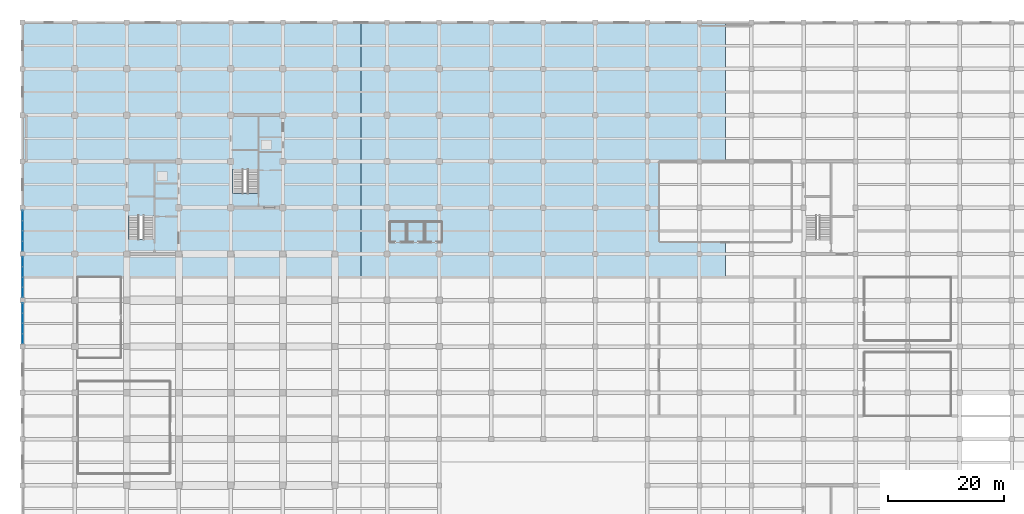
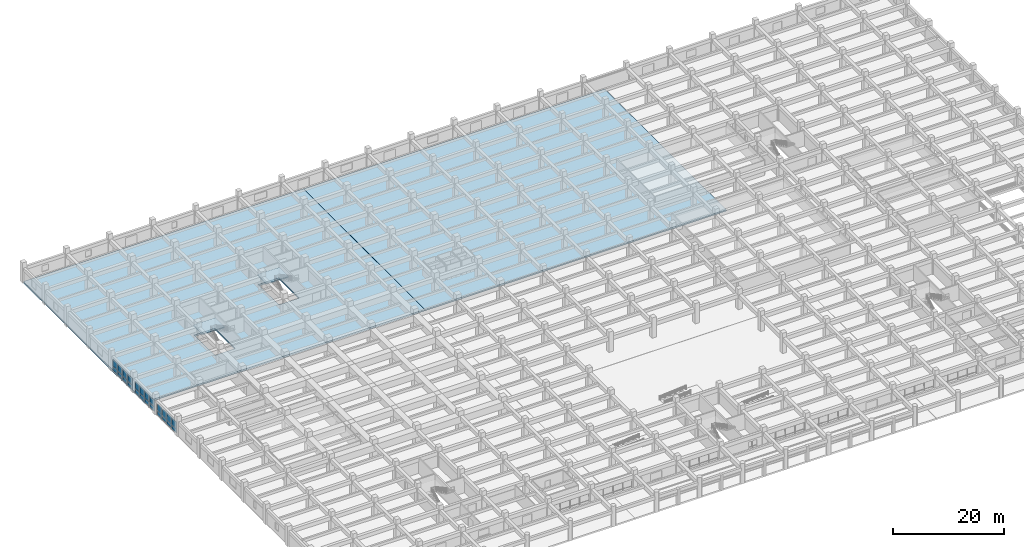
# One storey, part 19 of 40: 24 plates, 4 slabs, 5 elements without a shape of their own.
"""IFC4 building model written with IfcOpenShell, lengths in metres."""

from ifc_helpers import new_model, si_unit, direction, frame, frame_2d, origin, place, context, subcontext, project, spatial, polyline, rectangle, outline, extrude, material, layer, layer_set, type_object, element, aggregate, save


model = new_model("IFC4")

# Units and contexts
model_context = context("Model", 3, precision=1e-05, world=origin(), true_north=direction((0.0, 1.0)))
body_context = subcontext(model_context, "Body", "Model", "MODEL_VIEW")
ifc_project = project(units=[si_unit("LENGTHUNIT", "METRE"), si_unit("AREAUNIT", "SQUARE_METRE"), si_unit("VOLUMEUNIT", "CUBIC_METRE"), si_unit("PLANEANGLEUNIT", "RADIAN"), si_unit("MASSUNIT", "GRAM", prefix="KILO")], contexts=[model_context])

# Site, building, storey
site_placement = place(None, origin())
site = spatial("IfcSite", under=ifc_project, at=site_placement, CompositionType="ELEMENT")
building_placement = place(site_placement, origin())
building = spatial("IfcBuilding", under=site, at=building_placement, Name="Zaverband Oceanarium and Marine Research Institute", CompositionType="ELEMENT")
storey_placement = place(building_placement, origin())
storey = spatial("IfcBuildingStorey", under=building, at=storey_placement, Name="L00", CompositionType="ELEMENT", Elevation=0.0)

# Curtain wall, plates
ifc_material_1 = material(Name="Thermally broken anodized aluminium and solar-control glass", Category="aluminium")
curtain_wall_type = type_object("IfcCurtainWallType", Name="CW-UNIT-1800", PredefinedType="NOTDEFINED", material=ifc_material_1)
curtain_wall_1_placement = place(storey_placement, origin())
curtain_wall_1 = element("IfcCurtainWall", 1, at=curtain_wall_1_placement, inside=storey, type_object=curtain_wall_type, Name="Unitised glazed curtain wall CW-009", PredefinedType="NOTDEFINED")
ifc_material_2 = material(Name="Low-E double-glazed solar-control glass", Category="glass")
ifc_layer_1 = layer(ifc_material_2, 0.033935546875, Name="Low-E double-glazed solar-control glass")
ifc_layer_set_1 = layer_set([ifc_layer_1], Name="Low-E double-glazed solar-control glass")
plate_type_1 = type_object("IfcPlateType", Name="CWP-1515x903", PredefinedType="CURTAIN_PANEL", material=ifc_layer_set_1)
plate_1_placement = place(storey_placement, frame((0.0, 64.534912109375, 0.050048828125), z_axis=(0.0, 0.0, 1.0), x_axis=(0.0, 1.0, 0.0)))
plate_1 = element("IfcPlate", 2, at=plate_1_placement, type_object=plate_type_1, Name="Glazed curtain wall panel CWP-1515x903", PredefinedType="CURTAIN_PANEL", context=body_context, shape_type="SweptSolid", body=[
    extrude(rectangle(XDim=1.612548828125, YDim=0.033935546875, at=frame_2d((0.80615234375, 0.0))), origin(), (0.0, 0.0, 1.0), 0.90283203125),
])
plate_2_placement = place(storey_placement, frame((0.0, 66.3076171875, 0.050048828125), z_axis=(0.0, 0.0, 1.0), x_axis=(0.0, 1.0, 0.0)))
plate_2 = element("IfcPlate", 3, at=plate_2_placement, type_object=plate_type_1, Name="Glazed curtain wall panel CWP-1515x903", PredefinedType="CURTAIN_PANEL", context=body_context, shape_type="SweptSolid", body=[
    extrude(rectangle(XDim=1.6123046875, YDim=0.033935546875, at=frame_2d((0.80615234375, 0.0))), origin(), (0.0, 0.0, 1.0), 0.90283203125),
])
plate_3_placement = place(storey_placement, frame((0.0, 68.080078125, 0.050048828125), z_axis=(0.0, 0.0, 1.0), x_axis=(0.0, 1.0, 0.0)))
plate_3 = element("IfcPlate", 4, at=plate_3_placement, type_object=plate_type_1, Name="Glazed curtain wall panel CWP-1515x903", PredefinedType="CURTAIN_PANEL", context=body_context, shape_type="SweptSolid", body=[
    extrude(rectangle(XDim=1.6123046875, YDim=0.033935546875, at=frame_2d((0.80615234375, 0.0))), origin(), (0.0, 0.0, 1.0), 0.90283203125),
])
plate_4_placement = place(storey_placement, frame((0.0, 69.8525390625, 0.050048828125), z_axis=(0.0, 0.0, 1.0), x_axis=(0.0, 1.0, 0.0)))
plate_4 = element("IfcPlate", 5, at=plate_4_placement, type_object=plate_type_1, Name="Glazed curtain wall panel CWP-1515x903", PredefinedType="CURTAIN_PANEL", context=body_context, shape_type="SweptSolid", body=[
    extrude(rectangle(XDim=1.612548828125, YDim=0.033935546875, at=frame_2d((0.80615234375, 0.0))), origin(), (0.0, 0.0, 1.0), 0.90283203125),
])

curtain_wall_2_placement = place(storey_placement, origin())
curtain_wall_2 = element("IfcCurtainWall", 6, at=curtain_wall_2_placement, inside=storey, type_object=curtain_wall_type, Name="Unitised glazed curtain wall CW-010", PredefinedType="NOTDEFINED")
plate_5_placement = place(storey_placement, frame((0.0, 72.534912109375, 0.050048828125), z_axis=(0.0, 0.0, 1.0), x_axis=(0.0, 1.0, 0.0)))
plate_5 = element("IfcPlate", 7, at=plate_5_placement, type_object=plate_type_1, Name="Glazed curtain wall panel CWP-1515x903", PredefinedType="CURTAIN_PANEL", context=body_context, shape_type="SweptSolid", body=[
    extrude(rectangle(XDim=1.612548828125, YDim=0.033935546875, at=frame_2d((0.80615234375, 0.0))), origin(), (0.0, 0.0, 1.0), 0.90283203125),
])
plate_6_placement = place(storey_placement, frame((0.0, 74.3076171875, 0.050048828125), z_axis=(0.0, 0.0, 1.0), x_axis=(0.0, 1.0, 0.0)))
plate_6 = element("IfcPlate", 8, at=plate_6_placement, type_object=plate_type_1, Name="Glazed curtain wall panel CWP-1515x903", PredefinedType="CURTAIN_PANEL", context=body_context, shape_type="SweptSolid", body=[
    extrude(rectangle(XDim=1.6123046875, YDim=0.033935546875, at=frame_2d((0.80615234375, 0.0))), origin(), (0.0, 0.0, 1.0), 0.90283203125),
])
plate_7_placement = place(storey_placement, frame((0.0, 76.080078125, 0.050048828125), z_axis=(0.0, 0.0, 1.0), x_axis=(0.0, 1.0, 0.0)))
plate_7 = element("IfcPlate", 9, at=plate_7_placement, type_object=plate_type_1, Name="Glazed curtain wall panel CWP-1515x903", PredefinedType="CURTAIN_PANEL", context=body_context, shape_type="SweptSolid", body=[
    extrude(rectangle(XDim=1.6123046875, YDim=0.033935546875, at=frame_2d((0.80615234375, 0.0))), origin(), (0.0, 0.0, 1.0), 0.90283203125),
])
plate_8_placement = place(storey_placement, frame((0.0, 77.8525390625, 0.050048828125), z_axis=(0.0, 0.0, 1.0), x_axis=(0.0, 1.0, 0.0)))
plate_8 = element("IfcPlate", 10, at=plate_8_placement, type_object=plate_type_1, Name="Glazed curtain wall panel CWP-1515x903", PredefinedType="CURTAIN_PANEL", context=body_context, shape_type="SweptSolid", body=[
    extrude(rectangle(XDim=1.612548828125, YDim=0.033935546875, at=frame_2d((0.80615234375, 0.0))), origin(), (0.0, 0.0, 1.0), 0.90283203125),
])

curtain_wall_3_placement = place(storey_placement, origin())
curtain_wall_3 = element("IfcCurtainWall", 11, at=curtain_wall_3_placement, inside=storey, type_object=curtain_wall_type, Name="Unitised glazed curtain wall CW-011", PredefinedType="NOTDEFINED")
plate_9_placement = place(storey_placement, frame((0.0, 80.534912109375, 0.050048828125), z_axis=(0.0, 0.0, 1.0), x_axis=(0.0, 1.0, 0.0)))
plate_9 = element("IfcPlate", 12, at=plate_9_placement, type_object=plate_type_1, Name="Glazed curtain wall panel CWP-1515x903", PredefinedType="CURTAIN_PANEL", context=body_context, shape_type="SweptSolid", body=[
    extrude(rectangle(XDim=1.612548828125, YDim=0.033935546875, at=frame_2d((0.80615234375, 0.0))), origin(), (0.0, 0.0, 1.0), 0.90283203125),
])
plate_10_placement = place(storey_placement, frame((0.0, 82.3076171875, 0.050048828125), z_axis=(0.0, 0.0, 1.0), x_axis=(0.0, 1.0, 0.0)))
plate_10 = element("IfcPlate", 13, at=plate_10_placement, type_object=plate_type_1, Name="Glazed curtain wall panel CWP-1515x903", PredefinedType="CURTAIN_PANEL", context=body_context, shape_type="SweptSolid", body=[
    extrude(rectangle(XDim=1.6123046875, YDim=0.033935546875, at=frame_2d((0.80615234375, 0.0))), origin(), (0.0, 0.0, 1.0), 0.90283203125),
])
plate_11_placement = place(storey_placement, frame((0.0, 84.080078125, 0.050048828125), z_axis=(0.0, 0.0, 1.0), x_axis=(0.0, 1.0, 0.0)))
plate_11 = element("IfcPlate", 14, at=plate_11_placement, type_object=plate_type_1, Name="Glazed curtain wall panel CWP-1515x903", PredefinedType="CURTAIN_PANEL", context=body_context, shape_type="SweptSolid", body=[
    extrude(rectangle(XDim=1.6123046875, YDim=0.033935546875, at=frame_2d((0.80615234375, 0.0))), origin(), (0.0, 0.0, 1.0), 0.90283203125),
])
plate_12_placement = place(storey_placement, frame((0.0, 85.8525390625, 0.050048828125), z_axis=(0.0, 0.0, 1.0), x_axis=(0.0, 1.0, 0.0)))
plate_12 = element("IfcPlate", 15, at=plate_12_placement, type_object=plate_type_1, Name="Glazed curtain wall panel CWP-1515x903", PredefinedType="CURTAIN_PANEL", context=body_context, shape_type="SweptSolid", body=[
    extrude(rectangle(XDim=1.612548828125, YDim=0.033935546875, at=frame_2d((0.80615234375, 0.0))), origin(), (0.0, 0.0, 1.0), 0.90283203125),
])

# Plate
ifc_layer_2 = layer(ifc_material_2, 0.033935546875, Name="Low-E double-glazed solar-control glass")
ifc_layer_set_2 = layer_set([ifc_layer_2], Name="Low-E double-glazed solar-control glass")
plate_type_2 = type_object("IfcPlateType", Name="CWP-1610x1505", PredefinedType="CURTAIN_PANEL", material=ifc_layer_set_2)
plate_13_placement = place(storey_placement, frame((0.0, 64.534912109375, 1.02294921875), z_axis=(0.0, 0.0, 1.0), x_axis=(0.0, 1.0, 0.0)))
plate_13 = element("IfcPlate", 16, at=plate_13_placement, type_object=plate_type_2, Name="Glazed curtain wall panel CWP-1610x1505", PredefinedType="CURTAIN_PANEL", context=body_context, shape_type="SweptSolid", body=[
    extrude(rectangle(XDim=1.612548828125, YDim=0.033935546875, at=frame_2d((0.80615234375, 0.0))), origin(), (0.0, 0.0, 1.0), 1.51708984375),
])

plate_14_placement = place(storey_placement, frame((0.0, 66.3076171875, 1.02294921875), z_axis=(0.0, 0.0, 1.0), x_axis=(0.0, 1.0, 0.0)))
plate_14 = element("IfcPlate", 17, at=plate_14_placement, type_object=plate_type_2, Name="Glazed curtain wall panel CWP-1610x1505", PredefinedType="CURTAIN_PANEL", context=body_context, shape_type="SweptSolid", body=[
    extrude(rectangle(XDim=1.6123046875, YDim=0.033935546875, at=frame_2d((0.80615234375, 0.0))), origin(), (0.0, 0.0, 1.0), 1.51708984375),
])

plate_15_placement = place(storey_placement, frame((0.0, 68.080078125, 1.02294921875), z_axis=(0.0, 0.0, 1.0), x_axis=(0.0, 1.0, 0.0)))
plate_15 = element("IfcPlate", 18, at=plate_15_placement, type_object=plate_type_2, Name="Glazed curtain wall panel CWP-1610x1505", PredefinedType="CURTAIN_PANEL", context=body_context, shape_type="SweptSolid", body=[
    extrude(rectangle(XDim=1.6123046875, YDim=0.033935546875, at=frame_2d((0.80615234375, 0.0))), origin(), (0.0, 0.0, 1.0), 1.51708984375),
])

plate_16_placement = place(storey_placement, frame((0.0, 69.8525390625, 1.02294921875), z_axis=(0.0, 0.0, 1.0), x_axis=(0.0, 1.0, 0.0)))
plate_16 = element("IfcPlate", 19, at=plate_16_placement, type_object=plate_type_2, Name="Glazed curtain wall panel CWP-1610x1505", PredefinedType="CURTAIN_PANEL", context=body_context, shape_type="SweptSolid", body=[
    extrude(rectangle(XDim=1.612548828125, YDim=0.033935546875, at=frame_2d((0.80615234375, 0.0))), origin(), (0.0, 0.0, 1.0), 1.51708984375),
])

aggregate(curtain_wall_1, [plate_1, plate_13, plate_2, plate_14, plate_3, plate_15, plate_4, plate_16])

plate_17_placement = place(storey_placement, frame((0.0, 72.534912109375, 1.02294921875), z_axis=(0.0, 0.0, 1.0), x_axis=(0.0, 1.0, 0.0)))
plate_17 = element("IfcPlate", 20, at=plate_17_placement, type_object=plate_type_2, Name="Glazed curtain wall panel CWP-1610x1505", PredefinedType="CURTAIN_PANEL", context=body_context, shape_type="SweptSolid", body=[
    extrude(rectangle(XDim=1.612548828125, YDim=0.033935546875, at=frame_2d((0.80615234375, 0.0))), origin(), (0.0, 0.0, 1.0), 1.51708984375),
])

plate_18_placement = place(storey_placement, frame((0.0, 74.3076171875, 1.02294921875), z_axis=(0.0, 0.0, 1.0), x_axis=(0.0, 1.0, 0.0)))
plate_18 = element("IfcPlate", 21, at=plate_18_placement, type_object=plate_type_2, Name="Glazed curtain wall panel CWP-1610x1505", PredefinedType="CURTAIN_PANEL", context=body_context, shape_type="SweptSolid", body=[
    extrude(rectangle(XDim=1.6123046875, YDim=0.033935546875, at=frame_2d((0.80615234375, 0.0))), origin(), (0.0, 0.0, 1.0), 1.51708984375),
])

plate_19_placement = place(storey_placement, frame((0.0, 76.080078125, 1.02294921875), z_axis=(0.0, 0.0, 1.0), x_axis=(0.0, 1.0, 0.0)))
plate_19 = element("IfcPlate", 22, at=plate_19_placement, type_object=plate_type_2, Name="Glazed curtain wall panel CWP-1610x1505", PredefinedType="CURTAIN_PANEL", context=body_context, shape_type="SweptSolid", body=[
    extrude(rectangle(XDim=1.6123046875, YDim=0.033935546875, at=frame_2d((0.80615234375, 0.0))), origin(), (0.0, 0.0, 1.0), 1.51708984375),
])

plate_20_placement = place(storey_placement, frame((0.0, 77.8525390625, 1.02294921875), z_axis=(0.0, 0.0, 1.0), x_axis=(0.0, 1.0, 0.0)))
plate_20 = element("IfcPlate", 23, at=plate_20_placement, type_object=plate_type_2, Name="Glazed curtain wall panel CWP-1610x1505", PredefinedType="CURTAIN_PANEL", context=body_context, shape_type="SweptSolid", body=[
    extrude(rectangle(XDim=1.612548828125, YDim=0.033935546875, at=frame_2d((0.80615234375, 0.0))), origin(), (0.0, 0.0, 1.0), 1.51708984375),
])

aggregate(curtain_wall_2, [plate_5, plate_17, plate_6, plate_18, plate_7, plate_19, plate_8, plate_20])

plate_21_placement = place(storey_placement, frame((0.0, 80.534912109375, 1.02294921875), z_axis=(0.0, 0.0, 1.0), x_axis=(0.0, 1.0, 0.0)))
plate_21 = element("IfcPlate", 24, at=plate_21_placement, type_object=plate_type_2, Name="Glazed curtain wall panel CWP-1610x1505", PredefinedType="CURTAIN_PANEL", context=body_context, shape_type="SweptSolid", body=[
    extrude(rectangle(XDim=1.612548828125, YDim=0.033935546875, at=frame_2d((0.80615234375, 0.0))), origin(), (0.0, 0.0, 1.0), 1.51708984375),
])

plate_22_placement = place(storey_placement, frame((0.0, 82.3076171875, 1.02294921875), z_axis=(0.0, 0.0, 1.0), x_axis=(0.0, 1.0, 0.0)))
plate_22 = element("IfcPlate", 25, at=plate_22_placement, type_object=plate_type_2, Name="Glazed curtain wall panel CWP-1610x1505", PredefinedType="CURTAIN_PANEL", context=body_context, shape_type="SweptSolid", body=[
    extrude(rectangle(XDim=1.6123046875, YDim=0.033935546875, at=frame_2d((0.80615234375, 0.0))), origin(), (0.0, 0.0, 1.0), 1.51708984375),
])

plate_23_placement = place(storey_placement, frame((0.0, 84.080078125, 1.02294921875), z_axis=(0.0, 0.0, 1.0), x_axis=(0.0, 1.0, 0.0)))
plate_23 = element("IfcPlate", 26, at=plate_23_placement, type_object=plate_type_2, Name="Glazed curtain wall panel CWP-1610x1505", PredefinedType="CURTAIN_PANEL", context=body_context, shape_type="SweptSolid", body=[
    extrude(rectangle(XDim=1.6123046875, YDim=0.033935546875, at=frame_2d((0.80615234375, 0.0))), origin(), (0.0, 0.0, 1.0), 1.51708984375),
])

plate_24_placement = place(storey_placement, frame((0.0, 85.8525390625, 1.02294921875), z_axis=(0.0, 0.0, 1.0), x_axis=(0.0, 1.0, 0.0)))
plate_24 = element("IfcPlate", 27, at=plate_24_placement, type_object=plate_type_2, Name="Glazed curtain wall panel CWP-1610x1505", PredefinedType="CURTAIN_PANEL", context=body_context, shape_type="SweptSolid", body=[
    extrude(rectangle(XDim=1.612548828125, YDim=0.033935546875, at=frame_2d((0.80615234375, 0.0))), origin(), (0.0, 0.0, 1.0), 1.51708984375),
])

aggregate(curtain_wall_3, [plate_9, plate_21, plate_10, plate_22, plate_11, plate_23, plate_12, plate_24])

# Stair, slab
ifc_material_3 = material(Name="Concrete C40/50", Category="concrete")
stair_type = type_object("IfcStairType", Name="STR-TWR-1650-4500", PredefinedType="HALF_TURN_STAIR", material=ifc_material_3)
stair_1_placement = place(storey_placement, origin())
stair_1 = element("IfcStair", 28, at=stair_1_placement, inside=storey, type_object=stair_type, Name="Exit Stair ST-01 (L00)", PredefinedType="HALF_TURN_STAIR")
ifc_layer_3 = layer(ifc_material_3, 0.199951171875, Name="Concrete C40/50")
ifc_layer_set_3 = layer_set([ifc_layer_3], Name="Concrete C40/50")
slab_type_1 = type_object("IfcSlabType", Name="SLB-LND-200", PredefinedType="LANDING", material=ifc_layer_set_3)
slab_1_placement = place(storey_placement, frame((0.0, 0.0, 2.050048828125)))
slab_1 = element("IfcSlab", 29, at=slab_1_placement, type_object=slab_type_1, Name="Stair / ramp landing slab SLB-LND-200", PredefinedType="LANDING", context=body_context, shape_type="SweptSolid", body=[
    extrude(outline(polyline([(18.139892578125, 86.570068359375), (22.735107421875, 86.570068359375), (22.735107421875, 89.93505859375), (18.139892578125, 89.93505859375), (18.139892578125, 86.570068359375)])), origin(), (0.0, 0.0, 1.0), 0.199951171875),
])
aggregate(stair_1, [slab_1])

stair_2_placement = place(storey_placement, origin())
stair_2 = element("IfcStair", 30, at=stair_2_placement, inside=storey, type_object=stair_type, Name="Exit Stair ST-02 (L00)", PredefinedType="HALF_TURN_STAIR")
slab_2_placement = place(storey_placement, frame((0.0, 0.0, 2.050048828125)))
slab_2 = element("IfcSlab", 31, at=slab_2_placement, type_object=slab_type_1, Name="Stair / ramp landing slab SLB-LND-200", PredefinedType="LANDING", context=body_context, shape_type="SweptSolid", body=[
    extrude(outline(polyline([(36.139892578125, 94.570068359375), (40.735107421875, 94.570068359375), (40.735107421875, 97.93505859375), (36.139892578125, 97.93505859375), (36.139892578125, 94.570068359375)])), origin(), (0.0, 0.0, 1.0), 0.199951171875),
])
aggregate(stair_2, [slab_2])

# Slabs
ifc_layer_4 = layer(ifc_material_3, 0.35009765625, Name="Concrete C40/50")
ifc_layer_set_4 = layer_set([ifc_layer_4], Name="Concrete C40/50")
slab_type_2 = type_object("IfcSlabType", Name="SLB-PLZ-350", PredefinedType="FLOOR", material=ifc_layer_set_4)
slab_3_placement = place(storey_placement, frame((0.0, 0.0, -0.35009765625)))
element("IfcSlab", 32, at=slab_3_placement, inside=storey, type_object=slab_type_2, Name="Suspended floor slab SLB-PLZ-350", PredefinedType="FLOOR", context=body_context, shape_type="SweptSolid", body=[
    extrude(outline(polyline([(0.0, 120.0), (58.485107421875, 120.0), (58.485107421875, 76.014892578125), (0.0, 76.014892578125), (0.0, 120.0)]), holes=[polyline([(22.64990234375, 89.85009765625), (18.35009765625, 89.85009765625), (18.35009765625, 82.5), (22.64990234375, 82.5), (22.64990234375, 89.85009765625)]), polyline([(40.64990234375, 97.85009765625), (36.35009765625, 97.85009765625), (36.35009765625, 90.5), (40.64990234375, 90.5), (40.64990234375, 97.85009765625)])]), origin(), (0.0, 0.0, 1.0), 0.35009765625),
])
slab_4_placement = place(storey_placement, frame((0.0, 0.0, -0.35009765625)))
element("IfcSlab", 33, at=slab_4_placement, inside=storey, type_object=slab_type_2, Name="Suspended floor slab SLB-PLZ-350", PredefinedType="FLOOR", context=body_context, shape_type="SweptSolid", body=[
    extrude(outline(polyline([(58.514892578125, 120.0), (121.485107421875, 120.0), (121.485107421875, 76.014892578125), (58.514892578125, 76.014892578125), (58.514892578125, 120.0)])), origin(), (0.0, 0.0, 1.0), 0.35009765625),
])

save(model, "model.ifc")
